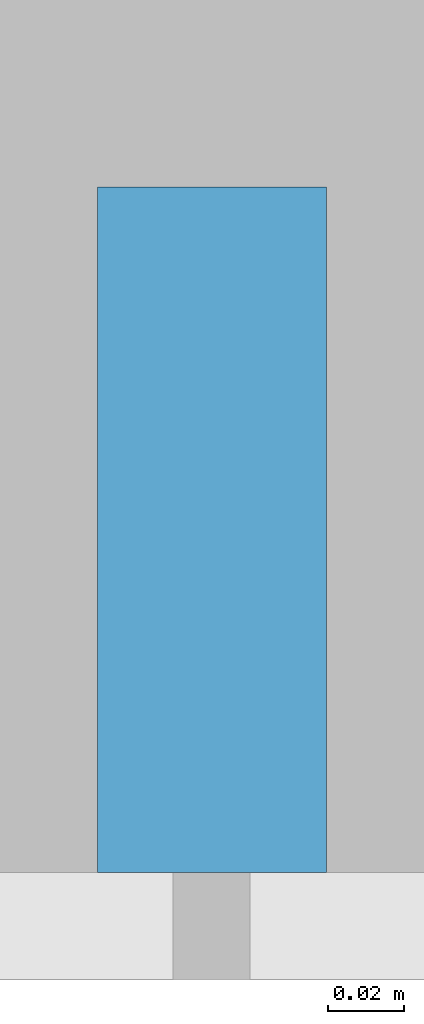
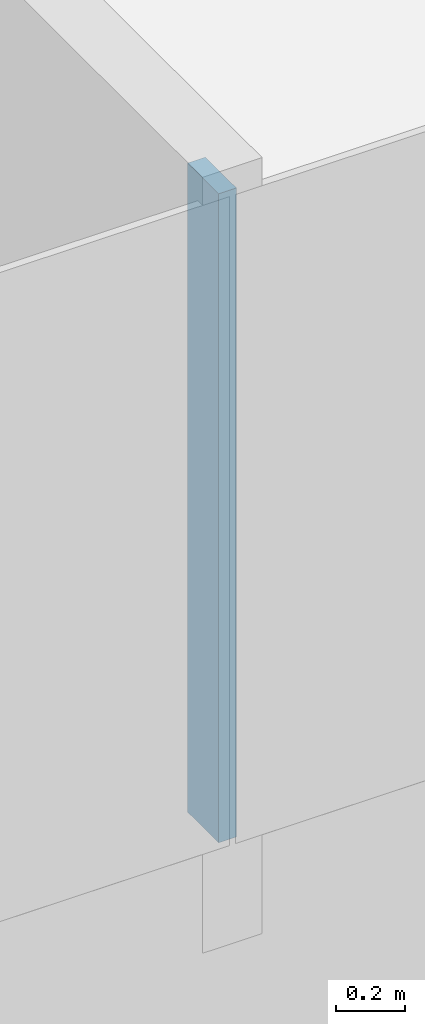
# One storey, part 3 of 26: 1 member, 1 element without a shape of its own.
"""IFC4 building model written with IfcOpenShell, lengths in metres."""

from ifc_helpers import new_model, si_unit, direction, frame, origin, origin_2d, place, context, subcontext, project, spatial, rectangle, extrude, material, layer, layer_set, material_profile, profile_set, type_object, element, aggregate, save


model = new_model("IFC4")

# Units and contexts
model_context = context("Model", 3, precision=1e-05, world=origin(), true_north=direction((0.0, 1.0)))
body_context = subcontext(model_context, "Body", "Model", "MODEL_VIEW")
ifc_project = project(units=[si_unit("LENGTHUNIT", "METRE"), si_unit("AREAUNIT", "SQUARE_METRE"), si_unit("VOLUMEUNIT", "CUBIC_METRE"), si_unit("PLANEANGLEUNIT", "RADIAN"), si_unit("MASSUNIT", "GRAM", prefix="KILO")], contexts=[model_context])

# Site, building, storey
site_placement = place(None, origin())
site = spatial("IfcSite", under=ifc_project, at=site_placement, CompositionType="ELEMENT")
building_placement = place(site_placement, origin())
building = spatial("IfcBuilding", under=site, at=building_placement, Name="Hakoniwa Tower and Hamabe Station Hall", CompositionType="ELEMENT")
storey_placement = place(building_placement, frame((0.0, 0.0, 143.800048828125)))
storey = spatial("IfcBuildingStorey", under=building, at=storey_placement, Name="L40", CompositionType="ELEMENT", Elevation=143.800048828125)

# Curtain wall, member
ifc_material_1 = material(Name="Dark low-e laminated glass", Category="glass")
ifc_layer = layer(ifc_material_1, 0.199951171875)
ifc_layer_set = layer_set([ifc_layer], Name="CW-1 UNITISED GUEST")
curtain_wall_type = type_object("IfcCurtainWallType", Name="CW-1 UNITISED GUEST", PredefinedType="NOTDEFINED", material=ifc_layer_set)
curtain_wall_placement = place(storey_placement, origin())
curtain_wall = element("IfcCurtainWall", 1, at=curtain_wall_placement, inside=storey, type_object=curtain_wall_type, Name="CW-1 curtain wall", PredefinedType="NOTDEFINED")
ifc_material_2 = material(Name="Aluminium 6063-T5 black anodised", Category="aluminium")
ifc_material_profile = material_profile(ifc_material_2, rectangle(XDim=0.06005859375, YDim=0.179931640625, at=origin_2d()), Name="CW-1 MULLION 60X180")
ifc_profile_set = profile_set([ifc_material_profile], Name="Aluminium 6063-T5 black anodised")
member_type = type_object("IfcMemberType", Name="CW-1 MULLION 60X180", PredefinedType="MULLION", material=ifc_profile_set)
member_placement = place(storey_placement, frame((-8.39990234375, -19.181884765625, 0.349853515625), z_axis=(0.0, 0.0, 1.0), x_axis=(1.0, 0.0, 0.0)))
member = element("IfcMember", 2, at=member_placement, type_object=member_type, Name="CW-1 mullion", PredefinedType="MULLION", context=body_context, shape_type="SweptSolid", body=[
    extrude(rectangle(XDim=0.06005859375, YDim=0.179931640625, at=origin_2d()), origin(), (0.0, 0.0, 1.0), 2.300048828125),
])
aggregate(curtain_wall, [member])

save(model, "model.ifc")
